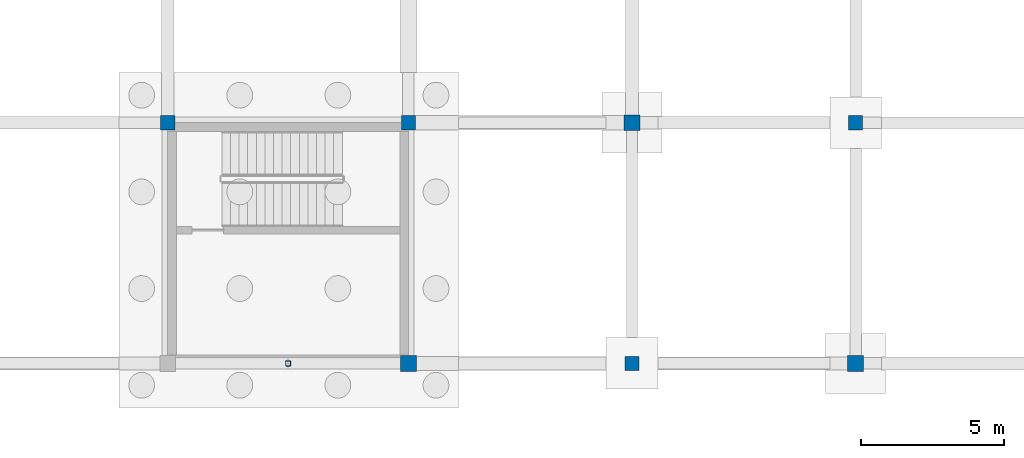
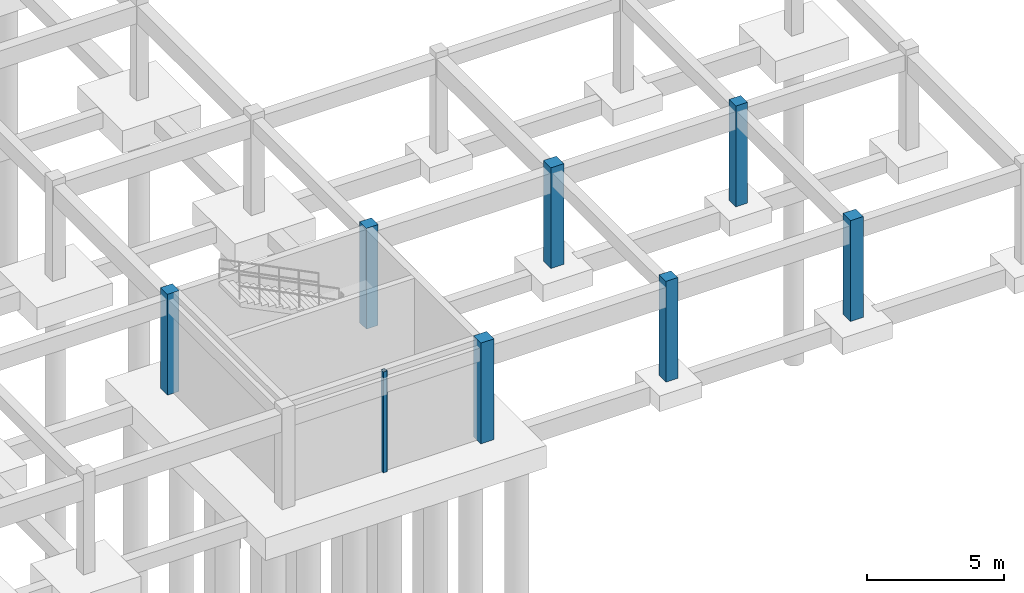
# One storey, part 22 of 43: 8 columns.
"""IFC4 building model written with IfcOpenShell, lengths in metres."""

from ifc_helpers import new_model, si_unit, derived_unit, direction, frame, origin, origin_2d, place, context, subcontext, project, spatial, rectangle, hollow_rectangle, extrude, material, material_profile, profile_set, type_object, element, save


model = new_model("IFC4")

# Units and contexts
model_context = context("Model", 3, precision=1e-05, world=origin(), true_north=direction((0.0, 1.0)))
body_context = subcontext(model_context, "Body", "Model", "MODEL_VIEW")
ifc_project = project(units=[si_unit("LENGTHUNIT", "METRE"), si_unit("AREAUNIT", "SQUARE_METRE"), si_unit("VOLUMEUNIT", "CUBIC_METRE"), si_unit("PLANEANGLEUNIT", "RADIAN"), si_unit("MASSUNIT", "GRAM", prefix="KILO"), derived_unit("THERMALTRANSMITTANCEUNIT", [(si_unit("POWERUNIT", "WATT"), 1), (si_unit("AREAUNIT", "SQUARE_METRE"), -1), (si_unit("THERMODYNAMICTEMPERATUREUNIT", "KELVIN"), -1)])], contexts=[model_context])

# Site, building, storey
site_placement = place(None, origin())
site = spatial("IfcSite", under=ifc_project, at=site_placement, CompositionType="ELEMENT")
building_placement = place(site_placement, origin())
building = spatial("IfcBuilding", under=site, at=building_placement, Name="Yasenodar Specialist Clinic", CompositionType="ELEMENT")
storey_placement = place(building_placement, frame((0.0, 0.0, -4.5)))
storey = spatial("IfcBuildingStorey", under=building, at=storey_placement, Name="B1", CompositionType="ELEMENT", Elevation=-4.5)

# Columns
ifc_material_1 = material(Name="Concrete C35/45", Category="concrete")
ifc_material_profile_1 = material_profile(ifc_material_1, rectangle(XDim=0.5, YDim=0.5, at=origin_2d()), Name="RC 500x500")
ifc_profile_set_1 = profile_set([ifc_material_profile_1], Name="Concrete C35/45")
column_type_1 = type_object("IfcColumnType", Name="COL-RC-500", PredefinedType="COLUMN", material=ifc_profile_set_1)
for number, where, z_axis, x_axis, name in (
    (1, (130.199951171875, 8.39990234375, 0.0), (0.0, 0.0, 1.0), (1.0, 0.0, 0.0), "B1 Column V3-147"),
    (2, (138.60009765625, 8.39990234375, 0.0), (0.0, 0.0, 1.0), (1.0, 0.0, 0.0), "B1 Column V3-157"),
    (3, (146.39990234375, 0.0, 0.0), (0.0, 0.0, 1.0), (1.0, 0.0, 0.0), "B1 Column V3E-161"),
    (4, (154.199951171875, 8.39990234375, 0.0), (0.0, 0.0, 1.0), (1.0, 0.0, 0.0), "B1 Column V3E-165"),
):
    element("IfcColumn", number, at=place(storey_placement, frame(where, z_axis=z_axis, x_axis=x_axis)), inside=storey, type_object=column_type_1, Name=name, PredefinedType="COLUMN", context=body_context, shape_type="SweptSolid", body=[
        extrude(rectangle(XDim=0.5, YDim=0.5, at=origin_2d()), origin(), (0.0, 0.0, 1.0), 4.5),
    ])
ifc_material_profile_2 = material_profile(ifc_material_1, rectangle(XDim=0.550048828125, YDim=0.550048828125, at=origin_2d()), Name="RC 550x550")
ifc_profile_set_2 = profile_set([ifc_material_profile_2], Name="Concrete C35/45")
column_type_2 = type_object("IfcColumnType", Name="COL-RC-550", PredefinedType="COLUMN", material=ifc_profile_set_2)
for number, where, z_axis, x_axis, name in (
    (5, (138.60009765625, 0.0, 0.0), (0.0, 0.0, 1.0), (1.0, 0.0, 0.0), "B1 Column V3-156"),
    (6, (146.39990234375, 8.39990234375, 0.0), (0.0, 0.0, 1.0), (1.0, 0.0, 0.0), "B1 Column V3E-162"),
    (7, (154.199951171875, 0.0, 0.0), (0.0, 0.0, 1.0), (1.0, 0.0, 0.0), "B1 Column V3E-164"),
):
    element("IfcColumn", number, at=place(storey_placement, frame(where, z_axis=z_axis, x_axis=x_axis)), inside=storey, type_object=column_type_2, Name=name, PredefinedType="COLUMN", context=body_context, shape_type="SweptSolid", body=[
        extrude(rectangle(XDim=0.550048828125, YDim=0.550048828125, at=origin_2d()), origin(), (0.0, 0.0, 1.0), 4.5),
    ])
ifc_material_2 = material(Name="Steel S355", Category="steel")
ifc_material_profile_3 = material_profile(ifc_material_2, hollow_rectangle(XDim=0.179931640625, YDim=0.179931640625, WallThickness=0.010009765625, InnerFilletRadius=0.014892578125, OuterFilletRadius=0.02490234375, at=origin_2d()), Name="SHS 180x180x10")
ifc_profile_set_3 = profile_set([ifc_material_profile_3], Name="Steel S355")
column_type_3 = type_object("IfcColumnType", Name="PIL-ST-SHS180", PredefinedType="PILASTER", material=ifc_profile_set_3)
column_placement = place(storey_placement, frame((134.39990234375, 0.0, 0.0), z_axis=(0.0, 0.0, 1.0), x_axis=(1.0, 0.0, 0.0)))
element("IfcColumn", 8, at=column_placement, inside=storey, type_object=column_type_3, Name="B1 Arcade Pilaster 06", PredefinedType="PILASTER", context=body_context, shape_type="SweptSolid", body=[
    extrude(hollow_rectangle(XDim=0.179931640625, YDim=0.179931640625, WallThickness=0.010009765625, InnerFilletRadius=0.014892578125, OuterFilletRadius=0.02490234375, at=origin_2d()), origin(), (0.0, 0.0, 1.0), 4.5),
])

save(model, "model.ifc")
